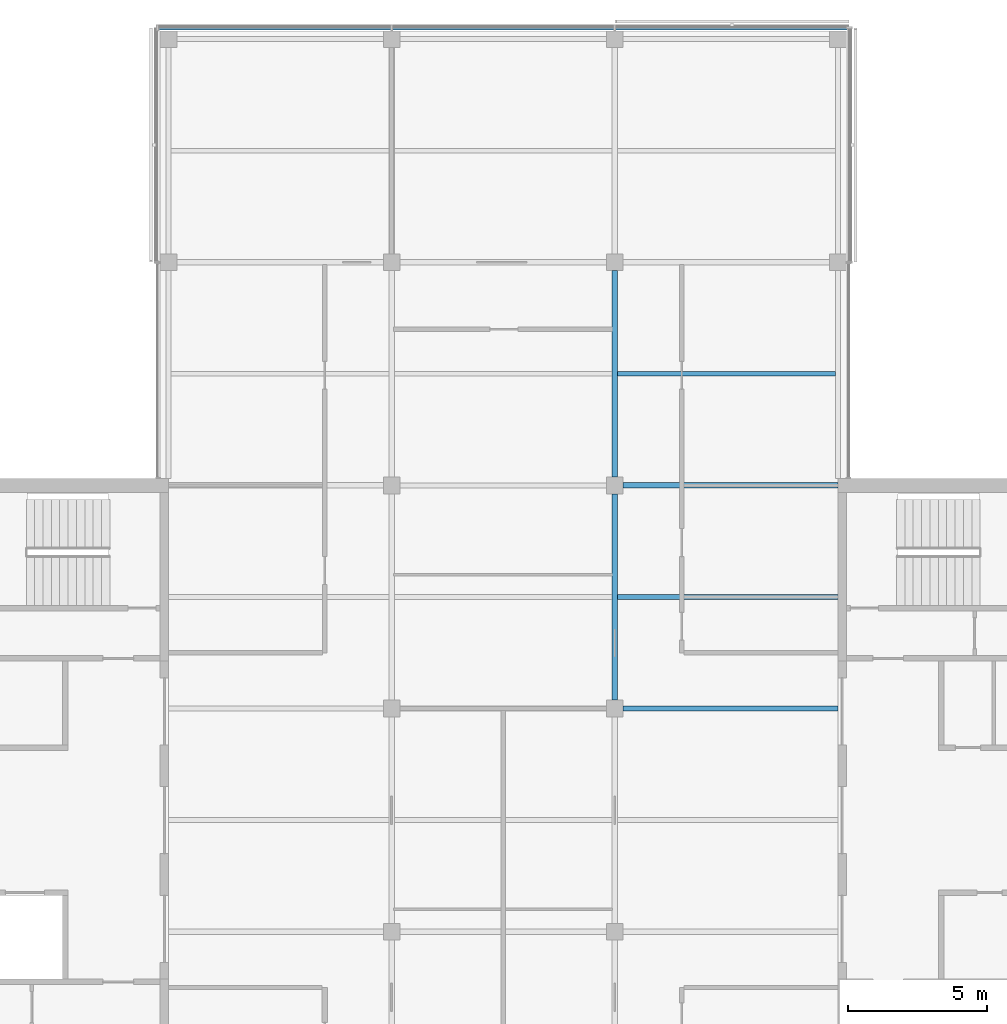
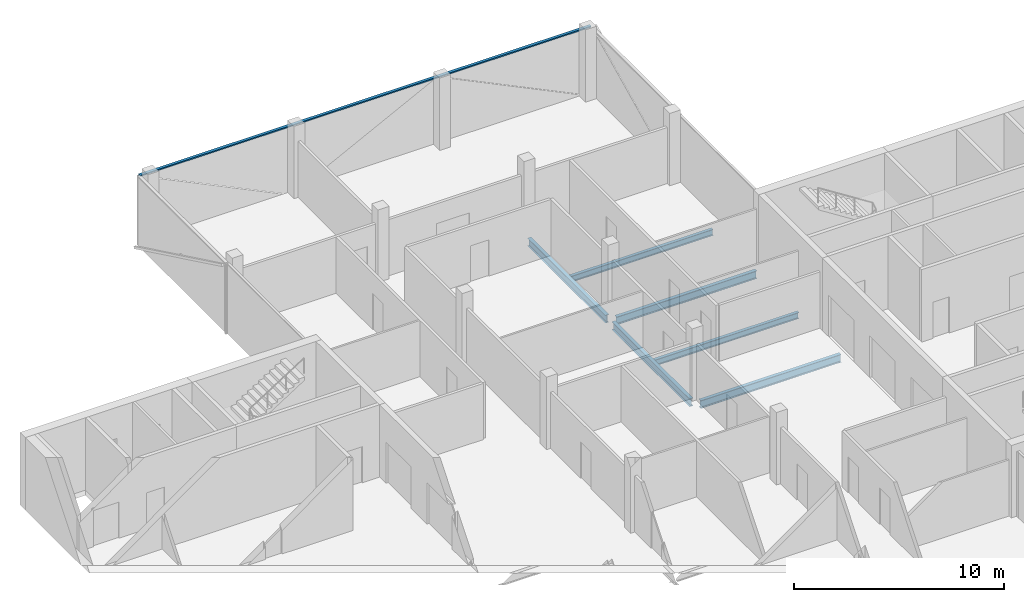
# One storey, part 6 of 16: 6 beams, 1 member, 1 element without a shape of its own.
"""IFC4 building model written with IfcOpenShell, lengths in metres."""

from ifc_helpers import new_model, si_unit, direction, frame, origin, origin_2d, place, context, subcontext, project, spatial, rectangle, i_section, extrude, material, material_profile, profile_set, type_object, element, aggregate, save


model = new_model("IFC4")

# Units and contexts
model_context = context("Model", 3, precision=1e-05, world=origin(), true_north=direction((0.0, 1.0)))
body_context = subcontext(model_context, "Body", "Model", "MODEL_VIEW")
ifc_project = project(units=[si_unit("LENGTHUNIT", "METRE"), si_unit("AREAUNIT", "SQUARE_METRE"), si_unit("VOLUMEUNIT", "CUBIC_METRE"), si_unit("PLANEANGLEUNIT", "RADIAN"), si_unit("MASSUNIT", "GRAM", prefix="KILO")], contexts=[model_context])

# Site, building, storey
site_placement = place(None, origin())
site = spatial("IfcSite", under=ifc_project, at=site_placement, CompositionType="ELEMENT")
building_placement = place(site_placement, origin())
building = spatial("IfcBuilding", under=site, at=building_placement, Name="Crosswind Convention Tower", CompositionType="ELEMENT")
storey_placement = place(building_placement, frame((0.0, 0.0, 299.699951171875)))
storey = spatial("IfcBuildingStorey", under=building, at=storey_placement, Name="L65", CompositionType="ELEMENT", Elevation=299.699951171875)

# Beams
ifc_material_1 = material(Name="Steel S355", Category="steel")
ifc_material_profile_1 = material_profile(ifc_material_1, i_section(OverallWidth=0.18994140625, OverallDepth=0.45361328125, WebThickness=0.008544921875, FlangeThickness=0.0126953125, FilletRadius=0.01025390625, at=origin_2d()), Name="UB 457x191x67")
ifc_profile_set_1 = profile_set([ifc_material_profile_1], Name="Steel S355")
beam_type_1 = type_object("IfcBeamType", Name="Girder UB 457x191x67", PredefinedType="BEAM", material=ifc_profile_set_1)
for number, where, z_axis, x_axis, name in (
    (1, (129.0, 104.300048828125, -0.52685546875), (0.0, 1.0, 0.0), (-1.0, 0.0, 0.0), "B1 L65 girder 20"),
    (2, (129.0, 112.300048828125, -0.52685546875), (0.0, 1.0, 0.0), (-1.0, 0.0, 0.0), "B1 L65 girder 21"),
):
    element("IfcBeam", number, at=place(storey_placement, frame(where, z_axis=z_axis, x_axis=x_axis)), inside=storey, type_object=beam_type_1, Name=name, PredefinedType="BEAM", context=body_context, shape_type="SweptSolid", body=[
        extrude(i_section(OverallWidth=0.18994140625, OverallDepth=0.45361328125, WebThickness=0.008544921875, FlangeThickness=0.0126953125, FilletRadius=0.01025390625, at=origin_2d()), origin(), (0.0, 0.0, 1.0), 7.39990234375),
    ])
ifc_material_profile_2 = material_profile(ifc_material_1, i_section(OverallWidth=0.1904296875, OverallDepth=0.457275390625, WebThickness=0.009033203125, FlangeThickness=0.014404296875, FilletRadius=0.01025390625, at=origin_2d()), Name="UB 457x191x75")
ifc_profile_set_2 = profile_set([ifc_material_profile_2], Name="Steel S355")
beam_type_2 = type_object("IfcBeamType", Name="Girder at core wall UB 457x191x75", PredefinedType="BEAM", material=ifc_profile_set_2)
for number, where, z_axis, x_axis, name in (
    (3, (129.300048828125, 104.0, -0.528564453125), (1.0, 0.0, 0.0), (0.0, 1.0, 0.0), "B22 L65 girder at core wall 7"),
    (4, (129.300048828125, 112.0, -0.528564453125), (1.0, 0.0, 0.0), (0.0, 1.0, 0.0), "B22 L65 girder at core wall 8"),
):
    element("IfcBeam", number, at=place(storey_placement, frame(where, z_axis=z_axis, x_axis=x_axis)), inside=storey, type_object=beam_type_2, Name=name, PredefinedType="BEAM", context=body_context, shape_type="SweptSolid", body=[
        extrude(i_section(OverallWidth=0.1904296875, OverallDepth=0.457275390625, WebThickness=0.009033203125, FlangeThickness=0.014404296875, FilletRadius=0.01025390625, at=origin_2d()), origin(), (0.0, 0.0, 1.0), 7.699951171875),
    ])
ifc_material_profile_3 = material_profile(ifc_material_1, i_section(OverallWidth=0.17138671875, OverallDepth=0.355712890625, WebThickness=0.00732421875, FlangeThickness=0.011474609375, FilletRadius=0.01025390625, at=origin_2d()), Name="UB 356x171x51")
ifc_profile_set_3 = profile_set([ifc_material_profile_3], Name="Steel S355")
beam_type_3 = type_object("IfcBeamType", Name="Secondary beam UB 356x171x51", PredefinedType="JOIST", material=ifc_profile_set_3)
beam_1_placement = place(storey_placement, frame((129.094970703125, 108.0, -0.477783203125), z_axis=(1.0, 0.0, 0.0), x_axis=(0.0, 1.0, 0.0)))
element("IfcBeam", 5, at=beam_1_placement, inside=storey, type_object=beam_type_3, Name="B8 L65 secondary beam 19", PredefinedType="JOIST", context=body_context, shape_type="SweptSolid", body=[
    extrude(i_section(OverallWidth=0.17138671875, OverallDepth=0.355712890625, WebThickness=0.00732421875, FlangeThickness=0.011474609375, FilletRadius=0.01025390625, at=origin_2d()), origin(), (0.0, 0.0, 1.0), 7.905029296875),
])
beam_2_placement = place(storey_placement, frame((129.094970703125, 116.0, -0.477783203125), z_axis=(1.0, 0.0, 0.0), x_axis=(0.0, 1.0, 0.0)))
element("IfcBeam", 6, at=beam_2_placement, inside=storey, type_object=beam_type_3, Name="B8 L65 secondary beam 20", PredefinedType="JOIST", context=body_context, shape_type="SweptSolid", body=[
    extrude(i_section(OverallWidth=0.17138671875, OverallDepth=0.355712890625, WebThickness=0.00732421875, FlangeThickness=0.011474609375, FilletRadius=0.01025390625, at=origin_2d()), origin(), (0.0, 0.0, 1.0), 7.816162109375),
])

# Curtain wall, member
ifc_material_2 = material(Name="Aluminium unitised curtain wall", Category="aluminium")
curtain_wall_type = type_object("IfcCurtainWallType", Name="OFFICE UNITISED WALL 220", PredefinedType="USERDEFINED", material=ifc_material_2)
curtain_wall_placement = place(storey_placement, origin())
curtain_wall = element("IfcCurtainWall", 7, at=curtain_wall_placement, inside=storey, type_object=curtain_wall_type, Name="CW3 L65 N-TIP 1", ObjectType="UNITISED", PredefinedType="USERDEFINED")
ifc_material_3 = material(Name="Aluminium transom", Category="aluminium")
ifc_material_profile_4 = material_profile(ifc_material_3, rectangle(XDim=0.159912109375, YDim=0.070068359375, at=origin_2d()), Name="AL 160X70")
ifc_profile_set_4 = profile_set([ifc_material_profile_4], Name="Aluminium transom")
member_type = type_object("IfcMemberType", Name="TRANSOM 70X160", PredefinedType="USERDEFINED", material=ifc_profile_set_4)
member_placement = place(storey_placement, frame((137.375, 128.409912109375, 3.76513671875), z_axis=(-1.0, 0.0, 0.0), x_axis=(0.0, -1.0, 0.0)))
member = element("IfcMember", 8, at=member_placement, type_object=member_type, Name="CW3 transom", ObjectType="TRANSOM", PredefinedType="USERDEFINED", context=body_context, shape_type="SweptSolid", body=[
    extrude(rectangle(XDim=0.159912109375, YDim=0.070068359375, at=origin_2d()), origin(), (0.0, 0.0, 1.0), 24.75),
])
aggregate(curtain_wall, [member])

save(model, "model.ifc")
